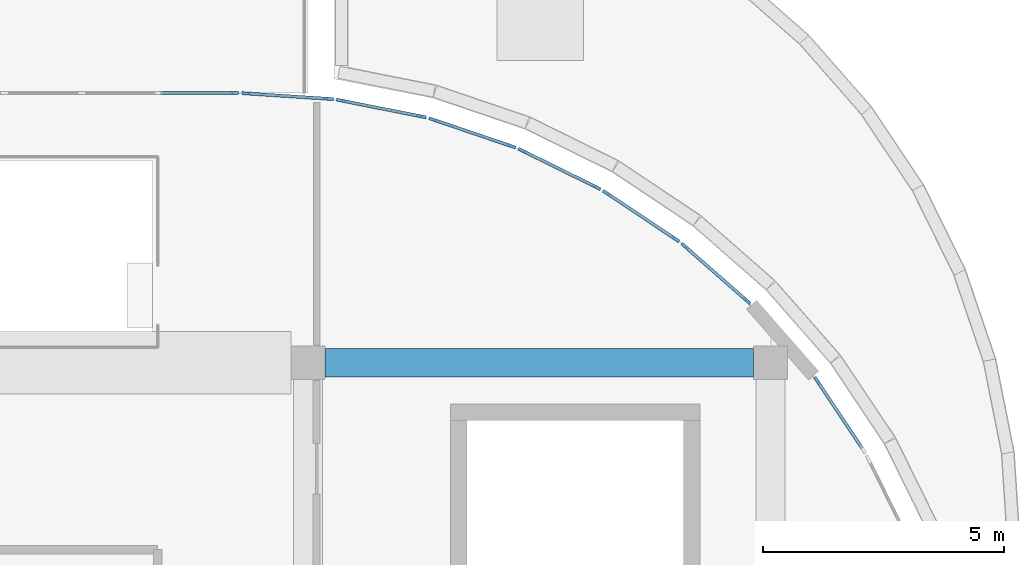
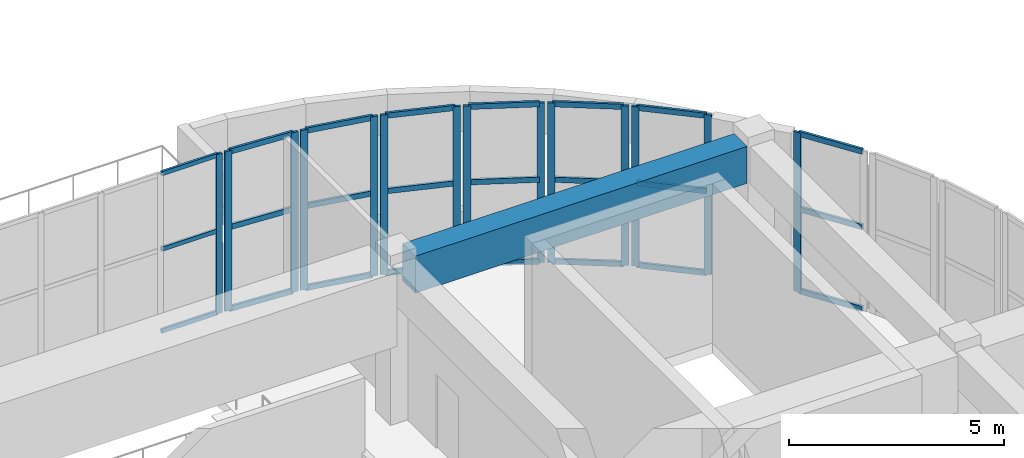
# One storey, part 12 of 23: 38 members, 1 beam, 8 elements without a shape of their own.
"""IFC4 building model written with IfcOpenShell, lengths in metres."""

from ifc_helpers import new_model, si_unit, direction, frame, origin, origin_2d, place, context, subcontext, project, spatial, rectangle, extrude, material, layer, layer_set, material_profile, profile_set, type_object, element, aggregate, save


model = new_model("IFC4")

# Units and contexts
model_context = context("Model", 3, precision=1e-05, world=origin(), true_north=direction((0.0, 1.0)))
body_context = subcontext(model_context, "Body", "Model", "MODEL_VIEW")
ifc_project = project(units=[si_unit("LENGTHUNIT", "METRE"), si_unit("AREAUNIT", "SQUARE_METRE"), si_unit("VOLUMEUNIT", "CUBIC_METRE"), si_unit("PLANEANGLEUNIT", "RADIAN"), si_unit("MASSUNIT", "GRAM", prefix="KILO")], contexts=[model_context])

# Site, building, storey
site_placement = place(None, origin())
site = spatial("IfcSite", under=ifc_project, at=site_placement, CompositionType="ELEMENT")
building_placement = place(site_placement, origin())
building = spatial("IfcBuilding", under=site, at=building_placement, Name="Cendralis Terraced Arcade", CompositionType="ELEMENT")
storey_placement = place(building_placement, frame((0.0, 0.0, 29.39990234375)))
storey = spatial("IfcBuildingStorey", under=building, at=storey_placement, Name="L06", CompositionType="ELEMENT", Elevation=29.39990234375)

# Beam
ifc_material_1 = material(Name="Concrete f'c 35 MPa", Category="concrete")
ifc_material_profile_1 = material_profile(ifc_material_1, rectangle(XDim=0.60009765625, YDim=1.050048828125, at=origin_2d()), Name="RC-BM-600x1050", Category="LoadBearing")
ifc_profile_set_1 = profile_set([ifc_material_profile_1], Name="Concrete f'c 35 MPa")
beam_type = type_object("IfcBeamType", Name="BM-600x1050", PredefinedType="JOIST", material=ifc_profile_set_1)
beam_placement = place(storey_placement, frame((48.35009765625, 38.39990234375, 4.0), z_axis=(1.0, 0.0, 0.0), x_axis=(0.0, 1.0, 0.0)))
element("IfcBeam", 1, at=beam_placement, inside=storey, type_object=beam_type, Name="Reinforced Concrete Frame Beam BM-X-RF-E-6_7", PredefinedType="JOIST", context=body_context, shape_type="SweptSolid", body=[
    extrude(rectangle(XDim=0.60009765625, YDim=1.050048828125, at=origin_2d()), origin(), (0.0, 0.0, 1.0), 8.89990234375),
])

# Curtain wall, members
ifc_material_2 = material(Name="Anodised aluminium EN AW-6063 T6", Category="aluminium")
ifc_layer_1 = layer(ifc_material_2, 0.179931640625, Name="CW-UNIT-A")
ifc_layer_set_1 = layer_set([ifc_layer_1], Name="Anodised aluminium EN AW-6063 T6")
curtain_wall_type_1 = type_object("IfcCurtainWallType", Name="CW-UNIT-A", PredefinedType="USERDEFINED", material=ifc_layer_set_1)
curtain_wall_1_placement = place(storey_placement, origin())
curtain_wall_1 = element("IfcCurtainWall", 2, at=curtain_wall_1_placement, inside=storey, type_object=curtain_wall_type_1, Name="Exterior Unitised Facade CW-L06-0459", ObjectType="UNITISED FACADE", PredefinedType="USERDEFINED")
ifc_material_profile_2 = material_profile(ifc_material_2, rectangle(XDim=0.06494140625, YDim=0.179931640625, at=origin_2d()), Name="ALU-MUL-65x180")
ifc_profile_set_2 = profile_set([ifc_material_profile_2], Name="Anodised aluminium EN AW-6063 T6")
member_type_1 = type_object("IfcMemberType", Name="CW-UNIT-A-MUL", PredefinedType="MULLION", material=ifc_profile_set_2)
member_1_placement = place(storey_placement, frame((46.72216796875, 43.991943359375, 0.0), z_axis=(0.0, 0.0, 1.0), x_axis=(0.065371873798, 0.997860971336, 0.0)))
member_1 = element("IfcMember", 3, at=member_1_placement, type_object=member_type_1, Name="CW-U1 mullion 1", PredefinedType="MULLION", context=body_context, shape_type="SweptSolid", body=[
    extrude(rectangle(XDim=0.06494140625, YDim=0.179931640625, at=origin_2d()), origin(), (0.0, 0.0, 1.0), 4.525146484375),
])
member_2_placement = place(storey_placement, frame((48.435791015625, 43.879638671875, 0.0), z_axis=(0.0, 0.0, 1.0), x_axis=(0.065371873798, 0.997860971336, 0.0)))
member_2 = element("IfcMember", 4, at=member_2_placement, type_object=member_type_1, Name="CW-U1 mullion 2", PredefinedType="MULLION", context=body_context, shape_type="SweptSolid", body=[
    extrude(rectangle(XDim=0.06494140625, YDim=0.179931640625, at=origin_2d()), origin(), (0.0, 0.0, 1.0), 4.525146484375),
])

curtain_wall_2_placement = place(storey_placement, origin())
curtain_wall_2 = element("IfcCurtainWall", 5, at=curtain_wall_2_placement, inside=storey, type_object=curtain_wall_type_1, Name="Exterior Unitised Facade CW-L06-0460", ObjectType="UNITISED FACADE", PredefinedType="USERDEFINED")
member_3_placement = place(storey_placement, frame((48.677978515625, 43.84765625, 0.0), z_axis=(0.0, 0.0, 1.0), x_axis=(0.195058454434, 0.980791618721, 0.0)))
member_3 = element("IfcMember", 6, at=member_3_placement, type_object=member_type_1, Name="CW-U1 mullion 1", PredefinedType="MULLION", context=body_context, shape_type="SweptSolid", body=[
    extrude(rectangle(XDim=0.06494140625, YDim=0.179931640625, at=origin_2d()), origin(), (0.0, 0.0, 1.0), 4.525146484375),
])
member_4_placement = place(storey_placement, frame((50.362060546875, 43.512939453125, 0.0), z_axis=(0.0, 0.0, 1.0), x_axis=(0.195058454434, 0.980791618721, 0.0)))
member_4 = element("IfcMember", 7, at=member_4_placement, type_object=member_type_1, Name="CW-U1 mullion 2", PredefinedType="MULLION", context=body_context, shape_type="SweptSolid", body=[
    extrude(rectangle(XDim=0.06494140625, YDim=0.179931640625, at=origin_2d()), origin(), (0.0, 0.0, 1.0), 4.525146484375),
])

curtain_wall_3_placement = place(storey_placement, origin())
curtain_wall_3 = element("IfcCurtainWall", 8, at=curtain_wall_3_placement, inside=storey, type_object=curtain_wall_type_1, Name="Exterior Unitised Facade CW-L06-0461", ObjectType="UNITISED FACADE", PredefinedType="USERDEFINED")
member_5_placement = place(storey_placement, frame((50.598388671875, 43.449462890625, 0.0), z_axis=(0.0, 0.0, 1.0), x_axis=(0.321458077458, 0.946923811316, 0.0)))
member_5 = element("IfcMember", 9, at=member_5_placement, type_object=member_type_1, Name="CW-U1 mullion 1", PredefinedType="MULLION", context=body_context, shape_type="SweptSolid", body=[
    extrude(rectangle(XDim=0.06494140625, YDim=0.179931640625, at=origin_2d()), origin(), (0.0, 0.0, 1.0), 4.525146484375),
])
member_6_placement = place(storey_placement, frame((52.224365234375, 42.8974609375, 0.0), z_axis=(0.0, 0.0, 1.0), x_axis=(0.321458077458, 0.946923811316, 0.0)))
member_6 = element("IfcMember", 10, at=member_6_placement, type_object=member_type_1, Name="CW-U1 mullion 2", PredefinedType="MULLION", context=body_context, shape_type="SweptSolid", body=[
    extrude(rectangle(XDim=0.06494140625, YDim=0.179931640625, at=origin_2d()), origin(), (0.0, 0.0, 1.0), 4.525146484375),
])

curtain_wall_4_placement = place(storey_placement, origin())
curtain_wall_4 = element("IfcCurtainWall", 11, at=curtain_wall_4_placement, inside=storey, type_object=curtain_wall_type_1, Name="Exterior Unitised Facade CW-L06-0462", ObjectType="UNITISED FACADE", PredefinedType="USERDEFINED")
member_7_placement = place(storey_placement, frame((52.4501953125, 42.803955078125, 0.0), z_axis=(0.0, 0.0, 1.0), x_axis=(0.442291247495, 0.896871480419, 0.0)))
member_7 = element("IfcMember", 12, at=member_7_placement, type_object=member_type_1, Name="CW-U1 mullion 1", PredefinedType="MULLION", context=body_context, shape_type="SweptSolid", body=[
    extrude(rectangle(XDim=0.06494140625, YDim=0.179931640625, at=origin_2d()), origin(), (0.0, 0.0, 1.0), 4.525146484375),
])
member_8_placement = place(storey_placement, frame((53.990234375, 42.044677734375, 0.0), z_axis=(0.0, 0.0, 1.0), x_axis=(0.442291247495, 0.896871480419, 0.0)))
member_8 = element("IfcMember", 13, at=member_8_placement, type_object=member_type_1, Name="CW-U1 mullion 2", PredefinedType="MULLION", context=body_context, shape_type="SweptSolid", body=[
    extrude(rectangle(XDim=0.06494140625, YDim=0.179931640625, at=origin_2d()), origin(), (0.0, 0.0, 1.0), 4.525146484375),
])

curtain_wall_5_placement = place(storey_placement, origin())
curtain_wall_5 = element("IfcCurtainWall", 14, at=curtain_wall_5_placement, inside=storey, type_object=curtain_wall_type_1, Name="Exterior Unitised Facade CW-L06-0463", ObjectType="UNITISED FACADE", PredefinedType="USERDEFINED")
member_9_placement = place(storey_placement, frame((54.201904296875, 41.92236328125, 0.0), z_axis=(0.0, 0.0, 1.0), x_axis=(0.555567476528, 0.831471454125, 0.0)))
member_9 = element("IfcMember", 15, at=member_9_placement, type_object=member_type_1, Name="CW-U1 mullion 1", PredefinedType="MULLION", context=body_context, shape_type="SweptSolid", body=[
    extrude(rectangle(XDim=0.06494140625, YDim=0.179931640625, at=origin_2d()), origin(), (0.0, 0.0, 1.0), 4.525146484375),
])
member_10_placement = place(storey_placement, frame((55.629638671875, 40.96826171875, 0.0), z_axis=(0.0, 0.0, 1.0), x_axis=(0.555567476528, 0.831471454125, 0.0)))
member_10 = element("IfcMember", 16, at=member_10_placement, type_object=member_type_1, Name="CW-U1 mullion 2", PredefinedType="MULLION", context=body_context, shape_type="SweptSolid", body=[
    extrude(rectangle(XDim=0.06494140625, YDim=0.179931640625, at=origin_2d()), origin(), (0.0, 0.0, 1.0), 4.525146484375),
])

curtain_wall_6_placement = place(storey_placement, origin())
curtain_wall_6 = element("IfcCurtainWall", 17, at=curtain_wall_6_placement, inside=storey, type_object=curtain_wall_type_1, Name="Exterior Unitised Facade CW-L06-0464", ObjectType="UNITISED FACADE", PredefinedType="USERDEFINED")
member_11_placement = place(storey_placement, frame((55.823486328125, 40.819580078125, 0.0), z_axis=(0.0, 0.0, 1.0), x_axis=(0.659386076266, 0.751804497477, 0.0)))
member_11 = element("IfcMember", 18, at=member_11_placement, type_object=member_type_1, Name="CW-U1 mullion 1", PredefinedType="MULLION", context=body_context, shape_type="SweptSolid", body=[
    extrude(rectangle(XDim=0.06494140625, YDim=0.179931640625, at=origin_2d()), origin(), (0.0, 0.0, 1.0), 4.525146484375),
])
member_12_placement = place(storey_placement, frame((57.114501953125, 39.687255859375, 0.0), z_axis=(0.0, 0.0, 1.0), x_axis=(0.659386076266, 0.751804497477, 0.0)))
member_12 = element("IfcMember", 19, at=member_12_placement, type_object=member_type_1, Name="CW-U1 mullion 2", PredefinedType="MULLION", context=body_context, shape_type="SweptSolid", body=[
    extrude(rectangle(XDim=0.06494140625, YDim=0.179931640625, at=origin_2d()), origin(), (0.0, 0.0, 1.0), 4.525146484375),
])

# Curtain wall, member
curtain_wall_7_placement = place(storey_placement, origin())
curtain_wall_7 = element("IfcCurtainWall", 20, at=curtain_wall_7_placement, inside=storey, type_object=curtain_wall_type_1, Name="Exterior Unitised Facade CW-L06-0465", ObjectType="UNITISED FACADE", PredefinedType="USERDEFINED")
member_13_placement = place(storey_placement, frame((58.568359375, 38.029541015625, 0.0), z_axis=(0.0, 0.0, 1.0), x_axis=(0.831471454125, 0.555567476528, 0.0)))
member_13 = element("IfcMember", 21, at=member_13_placement, type_object=member_type_1, Name="CW-U1 mullion 1", PredefinedType="MULLION", context=body_context, shape_type="SweptSolid", body=[
    extrude(rectangle(XDim=0.06494140625, YDim=0.179931640625, at=origin_2d()), origin(), (0.0, 0.0, 1.0), 4.525146484375),
])

# Member
ifc_material_profile_3 = material_profile(ifc_material_2, rectangle(XDim=0.06494140625, YDim=0.14990234375, at=origin_2d()), Name="ALU-TRN-65x150")
ifc_profile_set_3 = profile_set([ifc_material_profile_3], Name="Anodised aluminium EN AW-6063 T6")
member_type_2 = type_object("IfcMemberType", Name="CW-UNIT-A-TRN", PredefinedType="USERDEFINED", material=ifc_profile_set_3)
member_14_placement = place(storey_placement, frame((46.754638671875, 43.98974609375, 0.03271484375), z_axis=(0.997864850039, -0.065312640858, 0.0), x_axis=(0.065312640858, 0.997864850039, 0.0)))
member_14 = element("IfcMember", 22, at=member_14_placement, type_object=member_type_2, Name="CW-U1 transom 1.1", ObjectType="TRANSOM", PredefinedType="USERDEFINED", context=body_context, shape_type="SweptSolid", body=[
    extrude(rectangle(XDim=0.06494140625, YDim=0.14990234375, at=origin_2d()), origin(), (0.0, 0.0, 1.0), 1.652099609375),
])

member_15_placement = place(storey_placement, frame((46.754638671875, 43.98974609375, 2.35302734375), z_axis=(0.997864850039, -0.065312640858, 0.0), x_axis=(0.065312640858, 0.997864850039, 0.0)))
member_15 = element("IfcMember", 23, at=member_15_placement, type_object=member_type_2, Name="CW-U1 transom 1.2", ObjectType="TRANSOM", PredefinedType="USERDEFINED", context=body_context, shape_type="SweptSolid", body=[
    extrude(rectangle(XDim=0.06494140625, YDim=0.14990234375, at=origin_2d()), origin(), (0.0, 0.0, 1.0), 1.652099609375),
])

member_16_placement = place(storey_placement, frame((46.754638671875, 43.98974609375, 4.49267578125), z_axis=(0.997864850039, -0.065312640858, 0.0), x_axis=(0.065312640858, 0.997864850039, 0.0)))
member_16 = element("IfcMember", 24, at=member_16_placement, type_object=member_type_2, Name="CW-U1 transom 1.3", ObjectType="TRANSOM", PredefinedType="USERDEFINED", context=body_context, shape_type="SweptSolid", body=[
    extrude(rectangle(XDim=0.06494140625, YDim=0.14990234375, at=origin_2d()), origin(), (0.0, 0.0, 1.0), 1.652099609375),
])

aggregate(curtain_wall_1, [member_1, member_2, member_14, member_15, member_16])

member_17_placement = place(storey_placement, frame((48.7099609375, 43.84130859375, 0.03271484375), z_axis=(0.980818671452, -0.194922378732, 0.0), x_axis=(0.194922378732, 0.980818671452, 0.0)))
member_17 = element("IfcMember", 25, at=member_17_placement, type_object=member_type_2, Name="CW-U1 transom 1.1", ObjectType="TRANSOM", PredefinedType="USERDEFINED", context=body_context, shape_type="SweptSolid", body=[
    extrude(rectangle(XDim=0.06494140625, YDim=0.14990234375, at=origin_2d()), origin(), (0.0, 0.0, 1.0), 1.652099609375),
])

member_18_placement = place(storey_placement, frame((48.7099609375, 43.84130859375, 2.35302734375), z_axis=(0.980818671452, -0.194922378732, 0.0), x_axis=(0.194922378732, 0.980818671452, 0.0)))
member_18 = element("IfcMember", 26, at=member_18_placement, type_object=member_type_2, Name="CW-U1 transom 1.2", ObjectType="TRANSOM", PredefinedType="USERDEFINED", context=body_context, shape_type="SweptSolid", body=[
    extrude(rectangle(XDim=0.06494140625, YDim=0.14990234375, at=origin_2d()), origin(), (0.0, 0.0, 1.0), 1.652099609375),
])

member_19_placement = place(storey_placement, frame((48.7099609375, 43.84130859375, 4.49267578125), z_axis=(0.980818671452, -0.194922378732, 0.0), x_axis=(0.194922378732, 0.980818671452, 0.0)))
member_19 = element("IfcMember", 27, at=member_19_placement, type_object=member_type_2, Name="CW-U1 transom 1.3", ObjectType="TRANSOM", PredefinedType="USERDEFINED", context=body_context, shape_type="SweptSolid", body=[
    extrude(rectangle(XDim=0.06494140625, YDim=0.14990234375, at=origin_2d()), origin(), (0.0, 0.0, 1.0), 1.652099609375),
])

aggregate(curtain_wall_2, [member_3, member_4, member_17, member_18, member_19])

member_20_placement = place(storey_placement, frame((50.629150390625, 43.439208984375, 0.03271484375), z_axis=(0.94689517137, -0.321542430228, 0.0), x_axis=(0.321542430228, 0.94689517137, 0.0)))
member_20 = element("IfcMember", 28, at=member_20_placement, type_object=member_type_2, Name="CW-U1 transom 1.1", ObjectType="TRANSOM", PredefinedType="USERDEFINED", context=body_context, shape_type="SweptSolid", body=[
    extrude(rectangle(XDim=0.06494140625, YDim=0.14990234375, at=origin_2d()), origin(), (0.0, 0.0, 1.0), 1.652099609375),
])

member_21_placement = place(storey_placement, frame((50.629150390625, 43.439208984375, 2.35302734375), z_axis=(0.94689517137, -0.321542430228, 0.0), x_axis=(0.321542430228, 0.94689517137, 0.0)))
member_21 = element("IfcMember", 29, at=member_21_placement, type_object=member_type_2, Name="CW-U1 transom 1.2", ObjectType="TRANSOM", PredefinedType="USERDEFINED", context=body_context, shape_type="SweptSolid", body=[
    extrude(rectangle(XDim=0.06494140625, YDim=0.14990234375, at=origin_2d()), origin(), (0.0, 0.0, 1.0), 1.652099609375),
])

member_22_placement = place(storey_placement, frame((50.629150390625, 43.439208984375, 4.49267578125), z_axis=(0.94689517137, -0.321542430228, 0.0), x_axis=(0.321542430228, 0.94689517137, 0.0)))
member_22 = element("IfcMember", 30, at=member_22_placement, type_object=member_type_2, Name="CW-U1 transom 1.3", ObjectType="TRANSOM", PredefinedType="USERDEFINED", context=body_context, shape_type="SweptSolid", body=[
    extrude(rectangle(XDim=0.06494140625, YDim=0.14990234375, at=origin_2d()), origin(), (0.0, 0.0, 1.0), 1.652099609375),
])

aggregate(curtain_wall_3, [member_5, member_6, member_20, member_21, member_22])

member_23_placement = place(storey_placement, frame((52.479248046875, 42.78955078125, 0.03271484375), z_axis=(0.896866855431, -0.442300625853, 0.0), x_axis=(0.442300625853, 0.896866855431, 0.0)))
member_23 = element("IfcMember", 31, at=member_23_placement, type_object=member_type_2, Name="CW-U1 transom 1.1", ObjectType="TRANSOM", PredefinedType="USERDEFINED", context=body_context, shape_type="SweptSolid", body=[
    extrude(rectangle(XDim=0.06494140625, YDim=0.14990234375, at=origin_2d()), origin(), (0.0, 0.0, 1.0), 1.652099609375),
])

member_24_placement = place(storey_placement, frame((52.479248046875, 42.78955078125, 2.35302734375), z_axis=(0.896866855431, -0.442300625853, 0.0), x_axis=(0.442300625853, 0.896866855431, 0.0)))
member_24 = element("IfcMember", 32, at=member_24_placement, type_object=member_type_2, Name="CW-U1 transom 1.2", ObjectType="TRANSOM", PredefinedType="USERDEFINED", context=body_context, shape_type="SweptSolid", body=[
    extrude(rectangle(XDim=0.06494140625, YDim=0.14990234375, at=origin_2d()), origin(), (0.0, 0.0, 1.0), 1.652099609375),
])

member_25_placement = place(storey_placement, frame((52.479248046875, 42.78955078125, 4.49267578125), z_axis=(0.896866855431, -0.442300625853, 0.0), x_axis=(0.442300625853, 0.896866855431, 0.0)))
member_25 = element("IfcMember", 33, at=member_25_placement, type_object=member_type_2, Name="CW-U1 transom 1.3", ObjectType="TRANSOM", PredefinedType="USERDEFINED", context=body_context, shape_type="SweptSolid", body=[
    extrude(rectangle(XDim=0.06494140625, YDim=0.14990234375, at=origin_2d()), origin(), (0.0, 0.0, 1.0), 1.652099609375),
])

aggregate(curtain_wall_4, [member_7, member_8, member_23, member_24, member_25])

member_26_placement = place(storey_placement, frame((54.228759765625, 41.904296875, 0.03271484375), z_axis=(0.831458772582, -0.555586455466, 0.0), x_axis=(0.555586455466, 0.831458772582, 0.0)))
member_26 = element("IfcMember", 34, at=member_26_placement, type_object=member_type_2, Name="CW-U1 transom 1.1", ObjectType="TRANSOM", PredefinedType="USERDEFINED", context=body_context, shape_type="SweptSolid", body=[
    extrude(rectangle(XDim=0.06494140625, YDim=0.14990234375, at=origin_2d()), origin(), (0.0, 0.0, 1.0), 1.65234375),
])

member_27_placement = place(storey_placement, frame((54.228759765625, 41.904296875, 2.35302734375), z_axis=(0.831458772582, -0.555586455466, 0.0), x_axis=(0.555586455466, 0.831458772582, 0.0)))
member_27 = element("IfcMember", 35, at=member_27_placement, type_object=member_type_2, Name="CW-U1 transom 1.2", ObjectType="TRANSOM", PredefinedType="USERDEFINED", context=body_context, shape_type="SweptSolid", body=[
    extrude(rectangle(XDim=0.06494140625, YDim=0.14990234375, at=origin_2d()), origin(), (0.0, 0.0, 1.0), 1.65234375),
])

member_28_placement = place(storey_placement, frame((54.228759765625, 41.904296875, 4.49267578125), z_axis=(0.831458772582, -0.555586455466, 0.0), x_axis=(0.555586455466, 0.831458772582, 0.0)))
member_28 = element("IfcMember", 36, at=member_28_placement, type_object=member_type_2, Name="CW-U1 transom 1.3", ObjectType="TRANSOM", PredefinedType="USERDEFINED", context=body_context, shape_type="SweptSolid", body=[
    extrude(rectangle(XDim=0.06494140625, YDim=0.14990234375, at=origin_2d()), origin(), (0.0, 0.0, 1.0), 1.65234375),
])

aggregate(curtain_wall_5, [member_9, member_10, member_26, member_27, member_28])

member_29_placement = place(storey_placement, frame((55.847900390625, 40.798095703125, 0.03271484375), z_axis=(0.751843927425, -0.659341117172, 0.0), x_axis=(0.659341117172, 0.751843927425, 0.0)))
member_29 = element("IfcMember", 37, at=member_29_placement, type_object=member_type_2, Name="CW-U1 transom 1.1", ObjectType="TRANSOM", PredefinedType="USERDEFINED", context=body_context, shape_type="SweptSolid", body=[
    extrude(rectangle(XDim=0.06494140625, YDim=0.14990234375, at=origin_2d()), origin(), (0.0, 0.0, 1.0), 1.652099609375),
])

member_30_placement = place(storey_placement, frame((55.847900390625, 40.798095703125, 2.35302734375), z_axis=(0.751843927425, -0.659341117172, 0.0), x_axis=(0.659341117172, 0.751843927425, 0.0)))
member_30 = element("IfcMember", 38, at=member_30_placement, type_object=member_type_2, Name="CW-U1 transom 1.2", ObjectType="TRANSOM", PredefinedType="USERDEFINED", context=body_context, shape_type="SweptSolid", body=[
    extrude(rectangle(XDim=0.06494140625, YDim=0.14990234375, at=origin_2d()), origin(), (0.0, 0.0, 1.0), 1.652099609375),
])

member_31_placement = place(storey_placement, frame((55.847900390625, 40.798095703125, 4.49267578125), z_axis=(0.751843927425, -0.659341117172, 0.0), x_axis=(0.659341117172, 0.751843927425, 0.0)))
member_31 = element("IfcMember", 39, at=member_31_placement, type_object=member_type_2, Name="CW-U1 transom 1.3", ObjectType="TRANSOM", PredefinedType="USERDEFINED", context=body_context, shape_type="SweptSolid", body=[
    extrude(rectangle(XDim=0.06494140625, YDim=0.14990234375, at=origin_2d()), origin(), (0.0, 0.0, 1.0), 1.652099609375),
])

aggregate(curtain_wall_6, [member_11, member_12, member_29, member_30, member_31])

member_32_placement = place(storey_placement, frame((58.58642578125, 38.00244140625, 0.03271484375), z_axis=(0.555654720391, -0.831413153436, 0.0), x_axis=(0.831413153436, 0.555654720391, 0.0)))
member_32 = element("IfcMember", 40, at=member_32_placement, type_object=member_type_2, Name="CW-U1 transom 1.1", ObjectType="TRANSOM", PredefinedType="USERDEFINED", context=body_context, shape_type="SweptSolid", body=[
    extrude(rectangle(XDim=0.06494140625, YDim=0.14990234375, at=origin_2d()), origin(), (0.0, 0.0, 1.0), 1.652099609375),
])

member_33_placement = place(storey_placement, frame((58.58642578125, 38.00244140625, 2.35302734375), z_axis=(0.555654720391, -0.831413153436, 0.0), x_axis=(0.831413153436, 0.555654720391, 0.0)))
member_33 = element("IfcMember", 41, at=member_33_placement, type_object=member_type_2, Name="CW-U1 transom 1.2", ObjectType="TRANSOM", PredefinedType="USERDEFINED", context=body_context, shape_type="SweptSolid", body=[
    extrude(rectangle(XDim=0.06494140625, YDim=0.14990234375, at=origin_2d()), origin(), (0.0, 0.0, 1.0), 1.652099609375),
])

member_34_placement = place(storey_placement, frame((58.58642578125, 38.00244140625, 4.49267578125), z_axis=(0.555654720391, -0.831413153436, 0.0), x_axis=(0.831413153436, 0.555654720391, 0.0)))
member_34 = element("IfcMember", 42, at=member_34_placement, type_object=member_type_2, Name="CW-U1 transom 1.3", ObjectType="TRANSOM", PredefinedType="USERDEFINED", context=body_context, shape_type="SweptSolid", body=[
    extrude(rectangle(XDim=0.06494140625, YDim=0.14990234375, at=origin_2d()), origin(), (0.0, 0.0, 1.0), 1.652099609375),
])

aggregate(curtain_wall_7, [member_13, member_32, member_33, member_34])

# Curtain wall, members
ifc_layer_2 = layer(ifc_material_2, 0.159912109375, Name="CW-UNIT-B")
ifc_layer_set_2 = layer_set([ifc_layer_2], Name="Anodised aluminium EN AW-6063 T6")
curtain_wall_type_2 = type_object("IfcCurtainWallType", Name="CW-UNIT-B", PredefinedType="USERDEFINED", material=ifc_layer_set_2)
curtain_wall_8_placement = place(storey_placement, origin())
curtain_wall_8 = element("IfcCurtainWall", 43, at=curtain_wall_8_placement, inside=storey, type_object=curtain_wall_type_2, Name="Exterior Unitised Facade CW-L06-0458", ObjectType="UNITISED FACADE", PredefinedType="USERDEFINED")
ifc_material_profile_4 = material_profile(ifc_material_2, rectangle(XDim=0.06494140625, YDim=0.159912109375, at=origin_2d()), Name="ALU-MUL-65x160")
ifc_profile_set_4 = profile_set([ifc_material_profile_4], Name="Anodised aluminium EN AW-6063 T6")
member_type_3 = type_object("IfcMemberType", Name="CW-UNIT-B-MUL", PredefinedType="MULLION", material=ifc_profile_set_4)
member_35_placement = place(storey_placement, frame((46.4775390625, 44.0, 0.0), z_axis=(0.0, 0.0, 1.0), x_axis=(0.0, 1.0, 0.0)))
member_35 = element("IfcMember", 44, at=member_35_placement, type_object=member_type_3, Name="CW-U2 mullion 6", PredefinedType="MULLION", context=body_context, shape_type="SweptSolid", body=[
    extrude(rectangle(XDim=0.06494140625, YDim=0.159912109375, at=origin_2d()), origin(), (0.0, 0.0, 1.0), 4.525146484375),
])
ifc_material_profile_5 = material_profile(ifc_material_2, rectangle(XDim=0.06005859375, YDim=0.1201171875, at=origin_2d()), Name="ALU-TRN-60x120")
ifc_profile_set_5 = profile_set([ifc_material_profile_5], Name="Anodised aluminium EN AW-6063 T6")
member_type_4 = type_object("IfcMemberType", Name="CW-UNIT-B-TRN", PredefinedType="USERDEFINED", material=ifc_profile_set_5)
member_36_placement = place(storey_placement, frame((44.9384765625, 44.0, 0.030029296875), z_axis=(1.0, 0.0, 0.0), x_axis=(0.0, 1.0, 0.0)))
member_36 = element("IfcMember", 45, at=member_36_placement, type_object=member_type_4, Name="CW-U2 transom 5.1", ObjectType="TRANSOM", PredefinedType="USERDEFINED", context=body_context, shape_type="SweptSolid", body=[
    extrude(rectangle(XDim=0.06005859375, YDim=0.1201171875, at=origin_2d()), origin(), (0.0, 0.0, 1.0), 1.506591796875),
])
member_37_placement = place(storey_placement, frame((44.9384765625, 44.0, 2.35302734375), z_axis=(1.0, 0.0, 0.0), x_axis=(0.0, 1.0, 0.0)))
member_37 = element("IfcMember", 46, at=member_37_placement, type_object=member_type_4, Name="CW-U2 transom 5.2", ObjectType="TRANSOM", PredefinedType="USERDEFINED", context=body_context, shape_type="SweptSolid", body=[
    extrude(rectangle(XDim=0.06005859375, YDim=0.1201171875, at=origin_2d()), origin(), (0.0, 0.0, 1.0), 1.506591796875),
])
member_38_placement = place(storey_placement, frame((44.9384765625, 44.0, 4.4951171875), z_axis=(1.0, 0.0, 0.0), x_axis=(0.0, 1.0, 0.0)))
member_38 = element("IfcMember", 47, at=member_38_placement, type_object=member_type_4, Name="CW-U2 transom 5.3", ObjectType="TRANSOM", PredefinedType="USERDEFINED", context=body_context, shape_type="SweptSolid", body=[
    extrude(rectangle(XDim=0.06005859375, YDim=0.1201171875, at=origin_2d()), origin(), (0.0, 0.0, 1.0), 1.506591796875),
])
aggregate(curtain_wall_8, [member_35, member_36, member_37, member_38])

save(model, "model.ifc")
